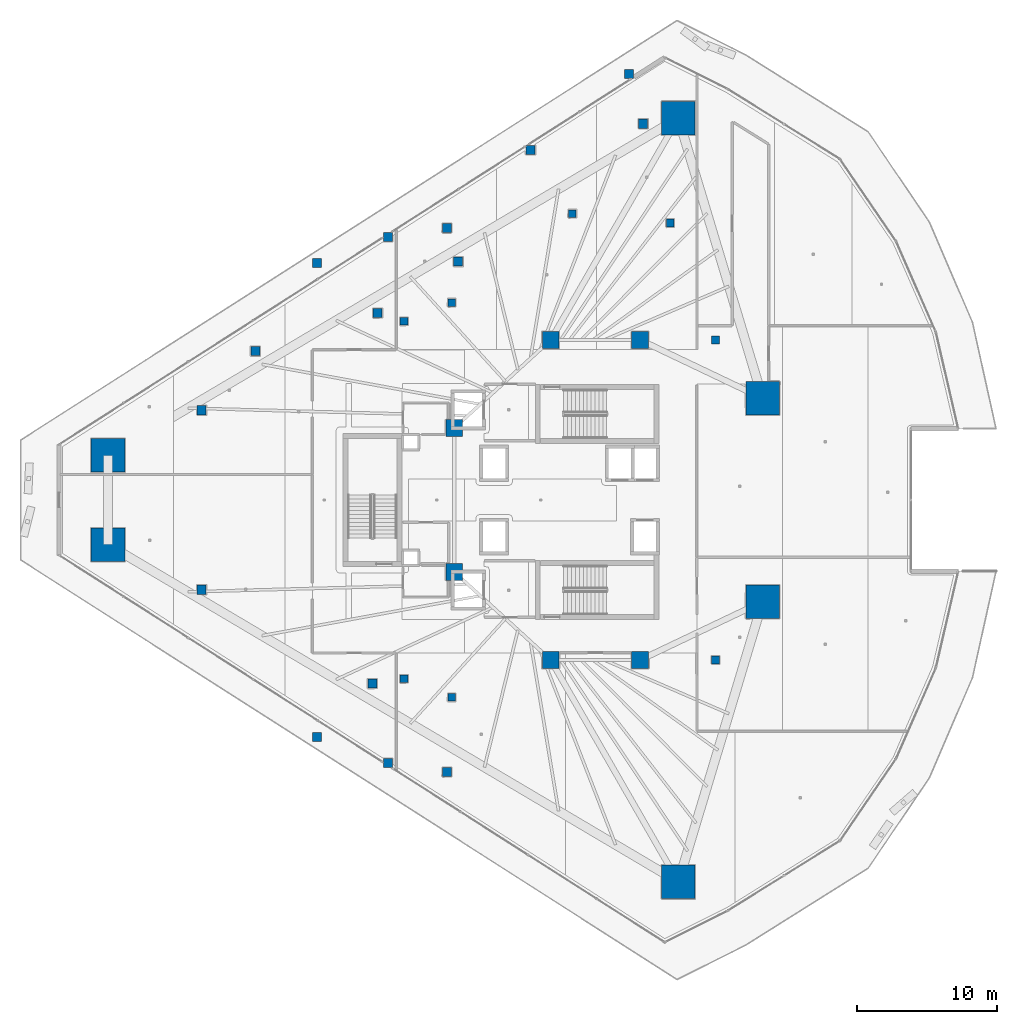
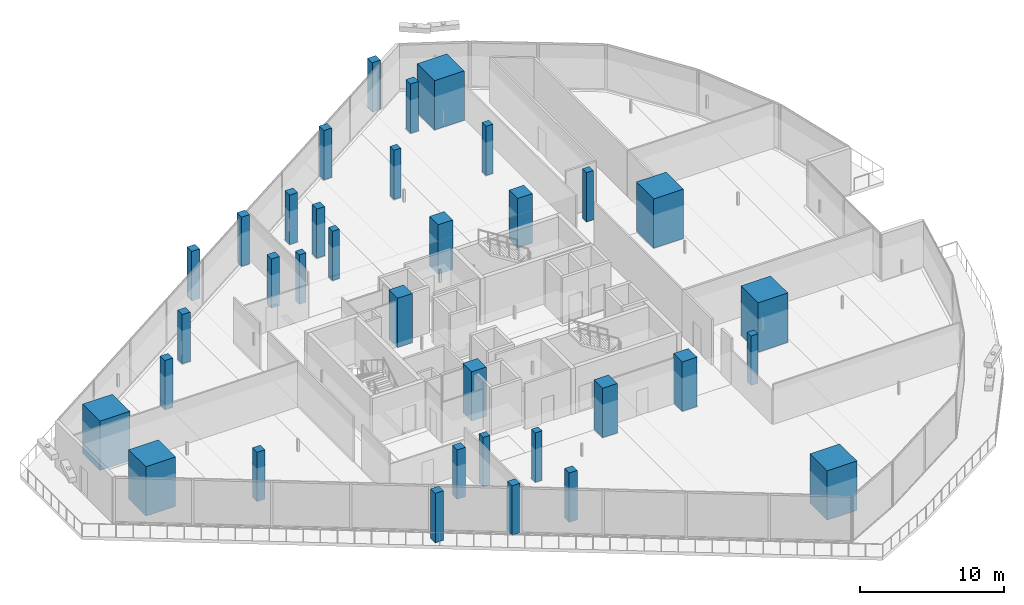
# One storey, part 1 of 45: 35 columns.
"""IFC4 building model written with IfcOpenShell, lengths in metres."""

from ifc_helpers import new_model, si_unit, direction, frame, origin, origin_2d, place, context, subcontext, project, spatial, rectangle, extrude, material, material_profile, profile_set, type_object, element, save


model = new_model("IFC4")

# Units and contexts
model_context = context("Model", 3, precision=1e-05, world=origin(), true_north=direction((0.0, 1.0)))
body_context = subcontext(model_context, "Body", "Model", "MODEL_VIEW")
ifc_project = project(units=[si_unit("LENGTHUNIT", "METRE"), si_unit("AREAUNIT", "SQUARE_METRE"), si_unit("VOLUMEUNIT", "CUBIC_METRE"), si_unit("PLANEANGLEUNIT", "RADIAN"), si_unit("MASSUNIT", "GRAM", prefix="KILO")], contexts=[model_context])

# Site, building, storey
site_placement = place(None, origin())
site = spatial("IfcSite", under=ifc_project, at=site_placement, CompositionType="ELEMENT")
building_placement = place(site_placement, origin())
building = spatial("IfcBuilding", under=site, at=building_placement, Name="Qorvath Tower", CompositionType="ELEMENT")
storey_placement = place(building_placement, frame((0.0, 0.0, 95.39990234375)))
storey = spatial("IfcBuildingStorey", under=building, at=storey_placement, Name="L21", CompositionType="ELEMENT", Elevation=95.39990234375)

# Columns
ifc_material_1 = material(Name="Concrete C70/85", Category="concrete")
ifc_material_profile_1 = material_profile(ifc_material_1, rectangle(XDim=2.39990234375, YDim=2.39990234375, at=origin_2d()), Name="MC 2400x2400")
ifc_profile_set_1 = profile_set([ifc_material_profile_1], Name="Concrete C70/85")
column_type_1 = type_object("IfcColumnType", Name="COL-MC1", PredefinedType="COLUMN", material=ifc_profile_set_1)
for number, where, z_axis, x_axis, name in (
    (1, (-55.282958984375, 3.194580078125, 0.0), (0.0, 0.0, 1.0), (1.0, 0.0, 0.0), "Composite Mega-Column MC1 L21"),
    (2, (-55.282958984375, -3.194580078125, 0.0), (0.0, 0.0, 1.0), (1.0, 0.0, 0.0), "Composite Mega-Column MC2 L21"),
    (3, (-14.46435546875, -27.330810546875, 0.0), (0.0, 0.0, 1.0), (1.0, 0.0, 0.0), "Composite Mega-Column MC3 L21"),
    (4, (-8.430419921875, -7.2763671875, 0.0), (0.0, 0.0, 1.0), (1.0, 0.0, 0.0), "Composite Mega-Column MC4 L21"),
    (5, (-8.430419921875, 7.2763671875, 0.0), (0.0, 0.0, 1.0), (1.0, 0.0, 0.0), "Composite Mega-Column MC5 L21"),
    (6, (-14.46435546875, 27.330810546875, 0.0), (0.0, 0.0, 1.0), (1.0, 0.0, 0.0), "Composite Mega-Column MC6 L21"),
):
    element("IfcColumn", number, at=place(storey_placement, frame(where, z_axis=z_axis, x_axis=x_axis)), inside=storey, type_object=column_type_1, Name=name, PredefinedType="COLUMN", context=body_context, shape_type="SweptSolid", body=[
        extrude(rectangle(XDim=2.39990234375, YDim=2.39990234375, at=origin_2d()), origin(), (0.0, 0.0, 1.0), 4.2001953125),
    ])
ifc_material_2 = material(Name="Concrete C60/75", Category="concrete")
ifc_material_profile_2 = material_profile(ifc_material_2, rectangle(XDim=1.199951171875, YDim=1.199951171875, at=origin_2d()), Name="RC 1200x1200")
ifc_profile_set_2 = profile_set([ifc_material_profile_2], Name="Concrete C60/75")
column_type_2 = type_object("IfcColumnType", Name="COL-RC1", PredefinedType="COLUMN", material=ifc_profile_set_2)
for number, where, z_axis, x_axis, name in (
    (7, (-23.60009765625, 11.449951171875, 0.0), (0.0, 0.0, 1.0), (1.0, 0.0, 0.0), "Core Spine Column CC1 L21"),
    (8, (-17.199951171875, 11.449951171875, 0.0), (0.0, 0.0, 1.0), (1.0, 0.0, 0.0), "Core Spine Column CC2 L21"),
    (9, (-17.199951171875, -11.449951171875, 0.0), (0.0, 0.0, 1.0), (1.0, 0.0, 0.0), "Core Spine Column CC3 L21"),
    (10, (-23.60009765625, -11.449951171875, 0.0), (0.0, 0.0, 1.0), (1.0, 0.0, 0.0), "Core Spine Column CC4 L21"),
    (11, (-30.5, 5.14990234375, 0.0), (0.0, 0.0, 1.0), (1.0, 0.0, 0.0), "Core Spine Column CC5 L21"),
    (12, (-30.5, -5.14990234375, 0.0), (0.0, 0.0, 1.0), (1.0, 0.0, 0.0), "Core Spine Column CC6 L21"),
):
    element("IfcColumn", number, at=place(storey_placement, frame(where, z_axis=z_axis, x_axis=x_axis)), inside=storey, type_object=column_type_2, Name=name, PredefinedType="COLUMN", context=body_context, shape_type="SweptSolid", body=[
        extrude(rectangle(XDim=1.199951171875, YDim=1.199951171875, at=origin_2d()), origin(), (0.0, 0.0, 1.0), 4.2001953125),
    ])
ifc_material_3 = material(Name="Concrete C45/55", Category="concrete")
ifc_material_profile_3 = material_profile(ifc_material_3, rectangle(XDim=0.64990234375, YDim=0.64990234375, at=origin_2d()), Name="RC 650x650")
ifc_profile_set_3 = profile_set([ifc_material_profile_3], Name="Concrete C45/55")
column_type_3 = type_object("IfcColumnType", Name="COL-RC6", PredefinedType="COLUMN", material=ifc_profile_set_3)
for number, where, z_axis, x_axis, name in (
    (13, (-40.33251953125, 16.955810546875, 0.0), (0.0, 0.0, 1.0), (1.0, 0.0, 0.0), "Loggia Frame Pier Column LGB1 L21"),
    (14, (-40.33251953125, -16.955810546875, 0.0), (0.0, 0.0, 1.0), (1.0, 0.0, 0.0), "Loggia Frame Pier Column LGB2 L21"),
    (15, (-18.0, 30.5, 0.0), (0.0, 0.0, 1.0), (1.0, 0.0, 0.0), "Loggia Frame Pier Column LGB3 L21"),
    (16, (-35.251708984375, 18.829345703125, 0.0), (0.0, 0.0, 1.0), (1.0, 0.0, 0.0), "Loggia Frame Pier Column LGC1 L21"),
    (17, (-35.251708984375, -18.829345703125, 0.0), (0.0, 0.0, 1.0), (1.0, 0.0, 0.0), "Loggia Frame Pier Column LGC2 L21"),
    (18, (-25.03759765625, 25.058837890625, 0.0), (0.0, 0.0, 1.0), (1.0, 0.0, 0.0), "Loggia Frame Pier Column LGC3 L21"),
    (19, (-31.01611328125, 19.46044921875, 0.0), (0.0, 0.0, 1.0), (1.0, 0.0, 0.0), "Loggia Frame Pier Column LGD1 L21"),
    (20, (-31.01611328125, -19.46044921875, 0.0), (0.0, 0.0, 1.0), (1.0, 0.0, 0.0), "Loggia Frame Pier Column LGD2 L21"),
    (21, (-44.736328125, 10.65234375, 0.0), (0.0, 0.0, 1.0), (1.0, 0.0, 0.0), "Loggia Frame Pier Column LGD3 L21"),
    (22, (-48.578369140625, 6.424560546875, 0.0), (0.0, 0.0, 1.0), (1.0, 0.0, 0.0), "Loggia Frame Pier Column LGE1 L21"),
    (23, (-48.578369140625, -6.424560546875, 0.0), (0.0, 0.0, 1.0), (1.0, 0.0, 0.0), "Loggia Frame Pier Column LGE2 L21"),
    (24, (-16.981201171875, 26.92919921875, 0.0), (0.0, 0.0, 1.0), (1.0, 0.0, 0.0), "Loggia Frame Pier Column LGE3 L21"),
    (25, (-35.980712890625, 13.380859375, 0.0), (0.0, 0.0, 1.0), (1.0, 0.0, 0.0), "Loggia Frame Pier Column LGF1 L21"),
    (26, (-36.36474609375, -13.135498046875, 0.0), (0.0, 0.0, 1.0), (1.0, 0.0, 0.0), "Loggia Frame Pier Column LGF2 L21"),
    (27, (-30.224853515625, 17.0595703125, 0.0), (0.0, 0.0, 1.0), (1.0, 0.0, 0.0), "Loggia Frame Pier Column LGF3 L21"),
):
    element("IfcColumn", number, at=place(storey_placement, frame(where, z_axis=z_axis, x_axis=x_axis)), inside=storey, type_object=column_type_3, Name=name, PredefinedType="COLUMN", context=body_context, shape_type="SweptSolid", body=[
        extrude(rectangle(XDim=0.64990234375, YDim=0.64990234375, at=origin_2d()), origin(), (0.0, 0.0, 1.0), 4.2001953125),
    ])
ifc_material_4 = material(Name="Concrete C45/55", Category="concrete")
ifc_material_profile_4 = material_profile(ifc_material_4, rectangle(XDim=0.550048828125, YDim=0.550048828125, at=origin_2d()), Name="RC 550x550")
ifc_profile_set_4 = profile_set([ifc_material_profile_4], Name="Concrete C45/55")
column_type_4 = type_object("IfcColumnType", Name="COL-RC7", PredefinedType="COLUMN", material=ifc_profile_set_4)
for number, where, z_axis, x_axis, name in (
    (28, (-34.104248046875, 12.79248046875, 0.0), (0.0, 0.0, 1.0), (1.0, 0.0, 0.0), "Loggia Frame Pier Column LGG1 L21"),
    (29, (-34.104248046875, -12.79248046875, 0.0), (0.0, 0.0, 1.0), (1.0, 0.0, 0.0), "Loggia Frame Pier Column LGG2 L21"),
    (30, (-22.05322265625, 20.494873046875, 0.0), (0.0, 0.0, 1.0), (1.0, 0.0, 0.0), "Loggia Frame Pier Column LGG3 L21"),
    (31, (-30.67724609375, 14.124267578125, 0.0), (0.0, 0.0, 1.0), (1.0, 0.0, 0.0), "Loggia Frame Pier Column LGH1 L21"),
    (32, (-30.67724609375, -14.124267578125, 0.0), (0.0, 0.0, 1.0), (1.0, 0.0, 0.0), "Loggia Frame Pier Column LGH2 L21"),
    (33, (-15.046142578125, 19.818115234375, 0.0), (0.0, 0.0, 1.0), (1.0, 0.0, 0.0), "Loggia Frame Pier Column LGH3 L21"),
    (34, (-11.800048828125, -11.449951171875, 0.0), (0.0, 0.0, 1.0), (1.0, 0.0, 0.0), "Central Slot Jamb Column SC1 L21"),
    (35, (-11.800048828125, 11.449951171875, 0.0), (0.0, 0.0, 1.0), (1.0, 0.0, 0.0), "Central Slot Jamb Column SC2 L21"),
):
    element("IfcColumn", number, at=place(storey_placement, frame(where, z_axis=z_axis, x_axis=x_axis)), inside=storey, type_object=column_type_4, Name=name, PredefinedType="COLUMN", context=body_context, shape_type="SweptSolid", body=[
        extrude(rectangle(XDim=0.550048828125, YDim=0.550048828125, at=origin_2d()), origin(), (0.0, 0.0, 1.0), 4.2001953125),
    ])

save(model, "model.ifc")
